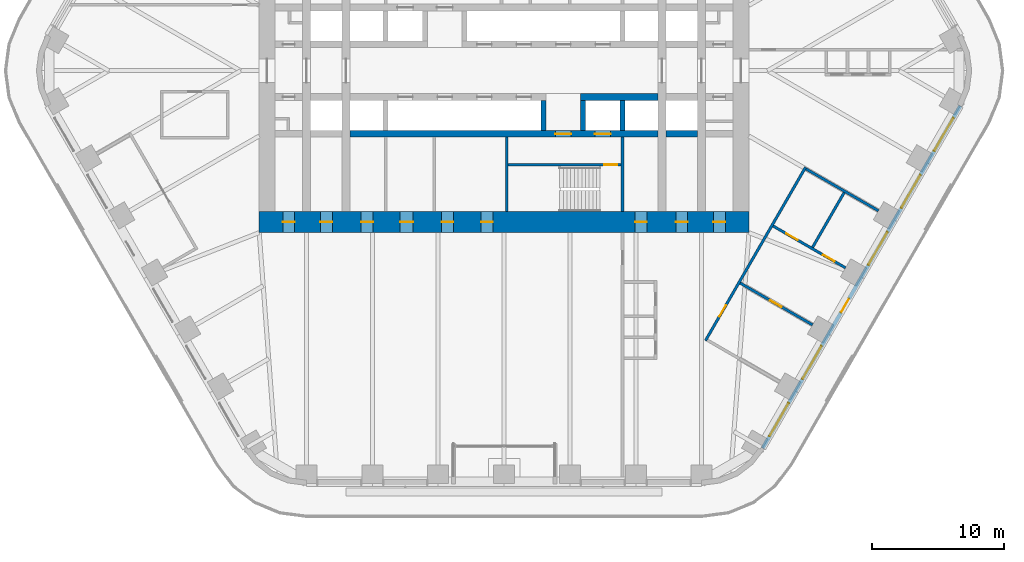
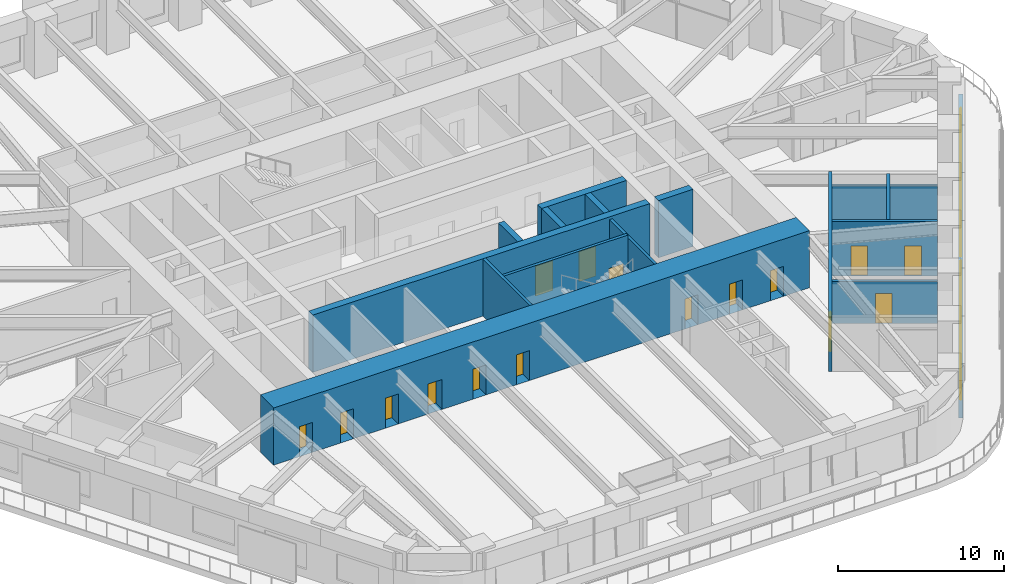
# One storey, part 18 of 24: 17 doors, 16 walls, 5 windows, 22 openings.
"""IFC4 building model written with IfcOpenShell, lengths in metres."""

from ifc_helpers import new_model, si_unit, direction, frame, frame_2d, origin, place, context, subcontext, project, spatial, rectangle, extrude, material, layer, layer_set, type_object, element, fill, save


model = new_model("IFC4")

# Units and contexts
model_context = context("Model", 3, precision=1e-05, world=origin(), true_north=direction((0.0, 1.0)))
body_context = subcontext(model_context, "Body", "Model", "MODEL_VIEW")
ifc_project = project(units=[si_unit("LENGTHUNIT", "METRE"), si_unit("AREAUNIT", "SQUARE_METRE"), si_unit("VOLUMEUNIT", "CUBIC_METRE"), si_unit("PLANEANGLEUNIT", "RADIAN"), si_unit("MASSUNIT", "GRAM", prefix="KILO")], contexts=[model_context])

# Site, building, storey
site_placement = place(None, origin())
site = spatial("IfcSite", under=ifc_project, at=site_placement, CompositionType="ELEMENT")
building_placement = place(site_placement, origin())
building = spatial("IfcBuilding", under=site, at=building_placement, Name="Tarfa Lantern Tower", CompositionType="ELEMENT")
storey_placement = place(building_placement, frame((0.0, 0.0, 169.89990234375)))
storey = spatial("IfcBuildingStorey", under=building, at=storey_placement, Name="L38", CompositionType="ELEMENT", Elevation=169.89990234375)

# Wall, openings, door, windows
ifc_material_1 = material(Name="Limestone cladding on blockwork", Category="masonry")
ifc_layer_1 = layer(ifc_material_1, 0.300048828125)
ifc_layer_set_1 = layer_set([ifc_layer_1], Name="EW1 STONE-CLAD WALL 300")
wall_type_1 = type_object("IfcWallType", Name="EW1 STONE-CLAD WALL 300", PredefinedType="SOLIDWALL", material=ifc_layer_set_1)
wall_1_placement = place(storey_placement, frame((19.644287109375, -28.675048828125, 0.0), z_axis=(0.0, 0.0, 1.0), x_axis=(0.500003084452, 0.866023622968, 0.0)))
wall_1 = element("IfcWall", 1, at=wall_1_placement, inside=storey, type_object=wall_type_1, Name="Stone wall SE", PredefinedType="SOLIDWALL", context=body_context, shape_type="SweptSolid", body=[
    extrude(rectangle(XDim=30.022216796875, YDim=0.300048828125, at=frame_2d((15.01123046875, 0.0))), origin(), (0.0, 0.0, 1.0), 2.75),
])
opening_1_placement = place(wall_1_placement, frame((1.0517578125, 0.0, 0.60009765625)))
opening_1 = element("IfcOpeningElement", 2, at=opening_1_placement, cuts=wall_1, Name="Opening W9", PredefinedType="OPENING", context=body_context, shape_type="SweptSolid", body=[
    extrude(rectangle(XDim=2.89990234375, YDim=1.89990234375, at=frame_2d((1.449951171875, 0.949951171875))), frame((0.0, 0.159912109375, 0.0), z_axis=(0.0, -1.0, 0.0), x_axis=(1.0, 0.0, 0.0)), (0.0, 0.0, 1.0), 0.320068359375),
])
opening_2_placement = place(wall_1_placement, frame((6.0556640625, 0.0, 0.60009765625)))
opening_2 = element("IfcOpeningElement", 3, at=opening_2_placement, cuts=wall_1, Name="Opening W9", PredefinedType="OPENING", context=body_context, shape_type="SweptSolid", body=[
    extrude(rectangle(XDim=2.89990234375, YDim=1.89990234375, at=frame_2d((1.449951171875, 0.949951171875))), frame((0.0, 0.159912109375, 0.0), z_axis=(0.0, -1.0, 0.0), x_axis=(1.0, 0.0, 0.0)), (0.0, 0.0, 1.0), 0.320068359375),
])
opening_3_placement = place(wall_1_placement, frame((11.9091796875, 0.0, 0.0)))
opening_3 = element("IfcOpeningElement", 4, at=opening_3_placement, cuts=wall_1, Name="Opening D51", PredefinedType="OPENING", context=body_context, shape_type="SweptSolid", body=[
    extrude(rectangle(XDim=1.199951171875, YDim=2.39990234375, at=frame_2d((0.60009765625, 1.199951171875))), frame((0.0, 0.159912109375, 0.0), z_axis=(0.0, -1.0, 0.0), x_axis=(1.0, 0.0, 0.0)), (0.0, 0.0, 1.0), 0.320068359375),
])
opening_4_placement = place(wall_1_placement, frame((16.06298828125, 0.0, 0.60009765625)))
opening_4 = element("IfcOpeningElement", 5, at=opening_4_placement, cuts=wall_1, Name="Opening W9", PredefinedType="OPENING", context=body_context, shape_type="SweptSolid", body=[
    extrude(rectangle(XDim=2.89990234375, YDim=1.89990234375, at=frame_2d((1.449951171875, 0.949951171875))), frame((0.0, 0.159912109375, 0.0), z_axis=(0.0, -1.0, 0.0), x_axis=(1.0, 0.0, 0.0)), (0.0, 0.0, 1.0), 0.320068359375),
])
opening_5_placement = place(wall_1_placement, frame((21.066650390625, 0.0, 0.60009765625)))
opening_5 = element("IfcOpeningElement", 6, at=opening_5_placement, cuts=wall_1, Name="Opening W9", PredefinedType="OPENING", context=body_context, shape_type="SweptSolid", body=[
    extrude(rectangle(XDim=2.89990234375, YDim=1.89990234375, at=frame_2d((1.449951171875, 0.949951171875))), frame((0.0, 0.159912109375, 0.0), z_axis=(0.0, -1.0, 0.0), x_axis=(1.0, 0.0, 0.0)), (0.0, 0.0, 1.0), 0.320068359375),
])
opening_6_placement = place(wall_1_placement, frame((26.0703125, 0.0, 0.60009765625)))
opening_6 = element("IfcOpeningElement", 7, at=opening_6_placement, cuts=wall_1, Name="Opening W9", PredefinedType="OPENING", context=body_context, shape_type="SweptSolid", body=[
    extrude(rectangle(XDim=2.89990234375, YDim=1.89990234375, at=frame_2d((1.449951171875, 0.949951171875))), frame((0.0, 0.159912109375, 0.0), z_axis=(0.0, -1.0, 0.0), x_axis=(1.0, 0.0, 0.0)), (0.0, 0.0, 1.0), 0.320068359375),
])
ifc_material_2 = material(Name="Aluminium framed glazed door", Category="aluminium")
door_type_1 = type_object("IfcDoorType", Name="BE3 BALCONY DOOR 1200x2400", OperationType="SINGLE_SWING_RIGHT", PredefinedType="DOOR", material=ifc_material_2)
door_1_placement = place(opening_3_placement, origin())
door_1 = element("IfcDoor", 8, at=door_1_placement, inside=storey, type_object=door_type_1, Name="Balcony door SE", OperationType="SINGLE_SWING_RIGHT", OverallHeight=2.39990234375, OverallWidth=1.199951171875, PredefinedType="DOOR", context=body_context, shape_type="SweptSolid", body=[
    extrude(rectangle(XDim=1.199951171875, YDim=2.39990234375, at=frame_2d((0.60009765625, 1.199951171875))), frame((0.0, 0.02490234375, 0.0), z_axis=(0.0, -1.0, 0.0), x_axis=(1.0, 0.0, 0.0)), (0.0, 0.0, 1.0), 0.050048828125),
])
fill(opening_3, door_1)
ifc_material_3 = material(Name="Aluminium frame, double glazed", Category="aluminium")
window_type = type_object("IfcWindowType", Name="W9 FULL-HEIGHT GLAZING 2900x1900", PartitioningType="SINGLE_PANEL", PredefinedType="WINDOW", material=ifc_material_3)
window_1_placement = place(opening_1_placement, origin())
window_1 = element("IfcWindow", 9, at=window_1_placement, inside=storey, type_object=window_type, Name="Window SE 1", OverallHeight=1.89990234375, OverallWidth=2.89990234375, PartitioningType="SINGLE_PANEL", PredefinedType="WINDOW", context=body_context, shape_type="SweptSolid", body=[
    extrude(rectangle(XDim=2.89990234375, YDim=1.89990234375, at=frame_2d((1.449951171875, 0.949951171875))), frame((0.0, 0.030029296875, 0.0), z_axis=(0.0, -1.0, 0.0), x_axis=(1.0, 0.0, 0.0)), (0.0, 0.0, 1.0), 0.06005859375),
])
fill(opening_1, window_1)
window_2_placement = place(opening_2_placement, origin())
window_2 = element("IfcWindow", 10, at=window_2_placement, inside=storey, type_object=window_type, Name="Window SE 2", OverallHeight=1.89990234375, OverallWidth=2.89990234375, PartitioningType="SINGLE_PANEL", PredefinedType="WINDOW", context=body_context, shape_type="SweptSolid", body=[
    extrude(rectangle(XDim=2.89990234375, YDim=1.89990234375, at=frame_2d((1.449951171875, 0.949951171875))), frame((0.0, 0.030029296875, 0.0), z_axis=(0.0, -1.0, 0.0), x_axis=(1.0, 0.0, 0.0)), (0.0, 0.0, 1.0), 0.06005859375),
])
fill(opening_2, window_2)
window_3_placement = place(opening_4_placement, origin())
window_3 = element("IfcWindow", 11, at=window_3_placement, inside=storey, type_object=window_type, Name="Window SE 4", OverallHeight=1.89990234375, OverallWidth=2.89990234375, PartitioningType="SINGLE_PANEL", PredefinedType="WINDOW", context=body_context, shape_type="SweptSolid", body=[
    extrude(rectangle(XDim=2.89990234375, YDim=1.89990234375, at=frame_2d((1.449951171875, 0.949951171875))), frame((0.0, 0.030029296875, 0.0), z_axis=(0.0, -1.0, 0.0), x_axis=(1.0, 0.0, 0.0)), (0.0, 0.0, 1.0), 0.06005859375),
])
fill(opening_4, window_3)
window_4_placement = place(opening_5_placement, origin())
window_4 = element("IfcWindow", 12, at=window_4_placement, inside=storey, type_object=window_type, Name="Window SE 5", OverallHeight=1.89990234375, OverallWidth=2.89990234375, PartitioningType="SINGLE_PANEL", PredefinedType="WINDOW", context=body_context, shape_type="SweptSolid", body=[
    extrude(rectangle(XDim=2.89990234375, YDim=1.89990234375, at=frame_2d((1.449951171875, 0.949951171875))), frame((0.0, 0.030029296875, 0.0), z_axis=(0.0, -1.0, 0.0), x_axis=(1.0, 0.0, 0.0)), (0.0, 0.0, 1.0), 0.06005859375),
])
fill(opening_5, window_4)
window_5_placement = place(opening_6_placement, origin())
window_5 = element("IfcWindow", 13, at=window_5_placement, inside=storey, type_object=window_type, Name="Window SE 6", OverallHeight=1.89990234375, OverallWidth=2.89990234375, PartitioningType="SINGLE_PANEL", PredefinedType="WINDOW", context=body_context, shape_type="SweptSolid", body=[
    extrude(rectangle(XDim=2.89990234375, YDim=1.89990234375, at=frame_2d((1.449951171875, 0.949951171875))), frame((0.0, 0.030029296875, 0.0), z_axis=(0.0, -1.0, 0.0), x_axis=(1.0, 0.0, 0.0)), (0.0, 0.0, 1.0), 0.06005859375),
])
fill(opening_6, window_5)

# Wall
ifc_material_4 = material(Name="Concrete blockwork", Category="masonry")
ifc_layer_2 = layer(ifc_material_4, 0.199951171875)
ifc_layer_set_2 = layer_set([ifc_layer_2], Name="IW1 BLOCKWORK PARTITION 200 EI 120")
wall_type_2 = type_object("IfcWallType", Name="IW1 BLOCKWORK PARTITION 200 EI 120", PredefinedType="PARTITIONING", material=ifc_layer_set_2)
wall_2_placement = place(storey_placement, frame((9.0, -5.050048828125, 0.0), z_axis=(0.0, 0.0, 1.0), x_axis=(0.0, -1.0, 0.0)))
element("IfcWall", 14, at=wall_2_placement, inside=storey, type_object=wall_type_2, Name="Core partition", PredefinedType="PARTITIONING", context=body_context, shape_type="SweptSolid", body=[
    extrude(rectangle(XDim=5.64990234375, YDim=0.199951171875, at=frame_2d((2.824951171875, 0.0))), origin(), (0.0, 0.0, 1.0), 4.0),
])

# Wall, opening, door
ifc_material_5 = material(Name="Gypsum board on steel studs", Category="steel")
ifc_layer_3 = layer(ifc_material_5, 0.2099609375)
ifc_layer_set_3 = layer_set([ifc_layer_3], Name="IW2 ACOUSTIC PARTITION 200")
wall_type_3 = type_object("IfcWallType", Name="IW2 ACOUSTIC PARTITION 200", PredefinedType="PARTITIONING", material=ifc_layer_set_3)
wall_3_placement = place(storey_placement, frame((15.2978515625, -20.503173828125, 0.0), z_axis=(0.0, 0.0, 1.0), x_axis=(0.500010972563, 0.86601906868, 0.0)))
wall_3 = element("IfcWall", 15, at=wall_3_placement, inside=storey, type_object=wall_type_3, Name="Partition", PredefinedType="PARTITIONING", context=body_context, shape_type="SweptSolid", body=[
    extrude(rectangle(XDim=15.211181640625, YDim=0.199951171875, at=frame_2d((7.60546875, 0.0))), origin(), (0.0, 0.0, 1.0), 4.0),
])
opening_7_placement = place(wall_3_placement, frame((2.101806640625, 0.0, 0.0)))
opening_7 = element("IfcOpeningElement", 16, at=opening_7_placement, cuts=wall_3, Name="Opening D33", PredefinedType="OPENING", context=body_context, shape_type="SweptSolid", body=[
    extrude(rectangle(XDim=1.0, YDim=2.199951171875, at=frame_2d((0.5, 1.10009765625))), frame((0.0, 0.10986328125, 0.0), z_axis=(0.0, -1.0, 0.0), x_axis=(1.0, 0.0, 0.0)), (0.0, 0.0, 1.0), 0.219970703125),
])
ifc_material_6 = material(Name="Timber door", Category="wood")
door_type_2 = type_object("IfcDoorType", Name="DR1 ROOM DOOR 1000x2200", OperationType="SINGLE_SWING_LEFT", PredefinedType="DOOR", material=ifc_material_6)
door_2_placement = place(opening_7_placement, frame((1.0, 0.0, 0.0), z_axis=(0.0, 0.0, 1.0), x_axis=(-1.0, 0.0, 0.0)))
door_2 = element("IfcDoor", 17, at=door_2_placement, inside=storey, type_object=door_type_2, Name="Audit reception door", OperationType="SINGLE_SWING_LEFT", OverallHeight=2.199951171875, OverallWidth=1.0, PredefinedType="DOOR", context=body_context, shape_type="SweptSolid", body=[
    extrude(rectangle(XDim=1.0, YDim=2.199951171875, at=frame_2d((0.5, 1.10009765625))), frame((0.0, 0.02490234375, 0.0), z_axis=(0.0, -1.0, 0.0), x_axis=(1.0, 0.0, 0.0)), (0.0, 0.0, 1.0), 0.050048828125),
])
fill(opening_7, door_2)

wall_4_placement = place(storey_placement, frame((17.936279296875, -16.13330078125, 0.0), z_axis=(0.0, 0.0, 1.0), x_axis=(0.866022320763, -0.500005339912, 0.0)))
wall_4 = element("IfcWall", 18, at=wall_4_placement, inside=storey, type_object=wall_type_3, Name="Partition", PredefinedType="PARTITIONING", context=body_context, shape_type="SweptSolid", body=[
    extrude(rectangle(XDim=6.35009765625, YDim=0.199951171875, at=frame_2d((3.175048828125, 0.0))), origin(), (0.0, 0.0, 1.0), 3.081787109375),
])
opening_8_placement = place(wall_4_placement, frame((2.625, 0.0, 0.0)))
opening_8 = element("IfcOpeningElement", 19, at=opening_8_placement, cuts=wall_4, Name="Opening D34", PredefinedType="OPENING", context=body_context, shape_type="SweptSolid", body=[
    extrude(rectangle(XDim=1.0, YDim=2.199951171875, at=frame_2d((0.5, 1.10009765625))), frame((0.0, 0.10986328125, 0.0), z_axis=(0.0, -1.0, 0.0), x_axis=(1.0, 0.0, 0.0)), (0.0, 0.0, 1.0), 0.219970703125),
])
door_3_placement = place(opening_8_placement, origin())
door_3 = element("IfcDoor", 20, at=door_3_placement, inside=storey, type_object=door_type_2, Name="Audit team room door", OperationType="SINGLE_SWING_RIGHT", OverallHeight=2.199951171875, OverallWidth=1.0, PredefinedType="DOOR", context=body_context, shape_type="SweptSolid", body=[
    extrude(rectangle(XDim=1.0, YDim=2.199951171875, at=frame_2d((0.5, 1.10009765625))), frame((0.0, 0.02490234375, 0.0), z_axis=(0.0, -1.0, 0.0), x_axis=(1.0, 0.0, 0.0)), (0.0, 0.0, 1.0), 0.050048828125),
])
fill(opening_8, door_3)

# Wall, openings, doors
wall_5_placement = place(storey_placement, frame((20.438232421875, -11.800048828125, 0.0), z_axis=(0.0, 0.0, 1.0), x_axis=(0.866022320763, -0.500005339912, 0.0)))
wall_5 = element("IfcWall", 21, at=wall_5_placement, inside=storey, type_object=wall_type_3, Name="Partition", PredefinedType="PARTITIONING", context=body_context, shape_type="SweptSolid", body=[
    extrude(rectangle(XDim=6.35009765625, YDim=0.199951171875, at=frame_2d((3.175048828125, 0.0))), origin(), (0.0, 0.0, 1.0), 4.0),
])
opening_9_placement = place(wall_5_placement, frame((1.14990234375, 0.0, 0.0)))
opening_9 = element("IfcOpeningElement", 22, at=opening_9_placement, cuts=wall_5, Name="Opening D35", PredefinedType="OPENING", context=body_context, shape_type="SweptSolid", body=[
    extrude(rectangle(XDim=1.0, YDim=2.199951171875, at=frame_2d((0.5, 1.10009765625))), frame((0.0, 0.10986328125, 0.0), z_axis=(0.0, -1.0, 0.0), x_axis=(1.0, 0.0, 0.0)), (0.0, 0.0, 1.0), 0.219970703125),
])
opening_10_placement = place(wall_5_placement, frame((4.375, 0.0, 0.0)))
opening_10 = element("IfcOpeningElement", 23, at=opening_10_placement, cuts=wall_5, Name="Opening D36", PredefinedType="OPENING", context=body_context, shape_type="SweptSolid", body=[
    extrude(rectangle(XDim=1.0, YDim=2.199951171875, at=frame_2d((0.5, 1.10009765625))), frame((0.0, 0.10986328125, 0.0), z_axis=(0.0, -1.0, 0.0), x_axis=(1.0, 0.0, 0.0)), (0.0, 0.0, 1.0), 0.219970703125),
])
door_4_placement = place(opening_9_placement, origin())
door_4 = element("IfcDoor", 24, at=door_4_placement, inside=storey, type_object=door_type_2, Name="Audit meeting room door", OperationType="SINGLE_SWING_RIGHT", OverallHeight=2.199951171875, OverallWidth=1.0, PredefinedType="DOOR", context=body_context, shape_type="SweptSolid", body=[
    extrude(rectangle(XDim=1.0, YDim=2.199951171875, at=frame_2d((0.5, 1.10009765625))), frame((0.0, 0.02490234375, 0.0), z_axis=(0.0, -1.0, 0.0), x_axis=(1.0, 0.0, 0.0)), (0.0, 0.0, 1.0), 0.050048828125),
])
fill(opening_9, door_4)
door_5_placement = place(opening_10_placement, origin())
door_5 = element("IfcDoor", 25, at=door_5_placement, inside=storey, type_object=door_type_2, Name="Audit office door", OperationType="SINGLE_SWING_RIGHT", OverallHeight=2.199951171875, OverallWidth=1.0, PredefinedType="DOOR", context=body_context, shape_type="SweptSolid", body=[
    extrude(rectangle(XDim=1.0, YDim=2.199951171875, at=frame_2d((0.5, 1.10009765625))), frame((0.0, 0.02490234375, 0.0), z_axis=(0.0, -1.0, 0.0), x_axis=(1.0, 0.0, 0.0)), (0.0, 0.0, 1.0), 0.050048828125),
])
fill(opening_10, door_5)

# Walls
wall_6_placement = place(storey_placement, frame((22.93994140625, -7.466552734375, 0.0), z_axis=(0.0, 0.0, 1.0), x_axis=(0.866022320763, -0.500005339912, 0.0)))
element("IfcWall", 26, at=wall_6_placement, inside=storey, type_object=wall_type_3, Name="Partition", PredefinedType="PARTITIONING", context=body_context, shape_type="SweptSolid", body=[
    extrude(rectangle(XDim=6.35009765625, YDim=0.199951171875, at=frame_2d((3.175048828125, 0.0))), origin(), (0.0, 0.0, 1.0), 3.081787109375),
])
wall_7_placement = place(storey_placement, frame((23.4326171875, -13.413330078125, 0.0), z_axis=(0.0, 0.0, 1.0), x_axis=(0.499998147991, 0.86602647304, 0.0)))
element("IfcWall", 27, at=wall_7_placement, inside=storey, type_object=wall_type_3, Name="Partition", PredefinedType="PARTITIONING", context=body_context, shape_type="SweptSolid", body=[
    extrude(rectangle(XDim=4.8037109375, YDim=0.199951171875, at=frame_2d((2.40185546875, 0.0))), origin(), (0.0, 0.0, 1.0), 4.0),
])
ifc_material_7 = material(Name="Concrete C80/95", Category="concrete")
ifc_layer_4 = layer(ifc_material_7, 0.199951171875)
ifc_layer_set_4 = layer_set([ifc_layer_4], Name="SW12 CORE WALL 200")
wall_type_4 = type_object("IfcWallType", Name="SW12 CORE WALL 200", PredefinedType="SHEAR", material=ifc_layer_set_4)
wall_8_placement = place(storey_placement, frame((0.199951171875, -5.050048828125, 0.0), z_axis=(0.0, 0.0, 1.0), x_axis=(0.0, -1.0, 0.0)))
element("IfcWall", 28, at=wall_8_placement, inside=storey, type_object=wall_type_4, Name="Core wall stair shaft S", PredefinedType="SHEAR", context=body_context, shape_type="SweptSolid", body=[
    extrude(rectangle(XDim=5.64990234375, YDim=0.199951171875, at=frame_2d((2.824951171875, 0.0))), origin(), (0.0, 0.0, 1.0), 4.2001953125),
])

# Wall, opening, door
wall_9_placement = place(storey_placement, frame((8.89990234375, -7.14990234375, 0.0), z_axis=(0.0, 0.0, 1.0), x_axis=(-1.0, 0.0, 0.0)))
wall_9 = element("IfcWall", 29, at=wall_9_placement, inside=storey, type_object=wall_type_4, Name="Core wall stair partition S", PredefinedType="SHEAR", context=body_context, shape_type="SweptSolid", body=[
    extrude(rectangle(XDim=8.599853515625, YDim=0.199951171875, at=frame_2d((4.2998046875, 0.0))), origin(), (0.0, 0.0, 1.0), 4.2001953125),
])
opening_11_placement = place(wall_9_placement, frame((0.300048828125, 0.0, 0.0)))
opening_11 = element("IfcOpeningElement", 30, at=opening_11_placement, cuts=wall_9, Name="Opening D28", PredefinedType="OPENING", context=body_context, shape_type="SweptSolid", body=[
    extrude(rectangle(XDim=1.0, YDim=2.199951171875, at=frame_2d((0.5, 1.10009765625))), frame((0.0, 0.10986328125, 0.0), z_axis=(0.0, -1.0, 0.0), x_axis=(1.0, 0.0, 0.0)), (0.0, 0.0, 1.0), 0.219970703125),
])
ifc_material_8 = material(Name="Steel fire door", Category="steel")
door_type_3 = type_object("IfcDoorType", Name="DF2 STAIR DOOR 1000x2200", OperationType="SINGLE_SWING_LEFT", PredefinedType="DOOR", material=ifc_material_8)
door_6_placement = place(opening_11_placement, origin())
door_6 = element("IfcDoor", 31, at=door_6_placement, inside=storey, type_object=door_type_3, Name="Stair door", OperationType="SINGLE_SWING_RIGHT", OverallHeight=2.199951171875, OverallWidth=1.0, PredefinedType="DOOR", context=body_context, shape_type="SweptSolid", body=[
    extrude(rectangle(XDim=1.0, YDim=2.199951171875, at=frame_2d((0.5, 1.10009765625))), frame((0.0, 0.02490234375, 0.0), z_axis=(0.0, -1.0, 0.0), x_axis=(1.0, 0.0, 0.0)), (0.0, 0.0, 1.0), 0.050048828125),
])
fill(opening_11, door_6)

# Walls
ifc_layer_5 = layer(ifc_material_7, 0.5)
ifc_layer_set_5 = layer_set([ifc_layer_5], Name="SW5 CORE WALL 500")
wall_type_5 = type_object("IfcWallType", Name="SW5 CORE WALL 500", PredefinedType="SHEAR", material=ifc_layer_set_5)
wall_10_placement = place(storey_placement, frame((11.699951171875, -2.0, 0.0), z_axis=(0.0, 0.0, 1.0), x_axis=(-1.0, 0.0, 0.0)))
element("IfcWall", 32, at=wall_10_placement, inside=storey, type_object=wall_type_5, Name="Core wall lobby west S", PredefinedType="SHEAR", context=body_context, shape_type="SweptSolid", body=[
    extrude(rectangle(XDim=5.89990234375, YDim=0.5, at=frame_2d((2.949951171875, 0.0))), origin(), (0.0, 0.0, 1.0), 4.2001953125),
])
wall_11_placement = place(storey_placement, frame((14.699951171875, -4.800048828125, 0.0), z_axis=(0.0, 0.0, 1.0), x_axis=(-1.0, 0.0, 0.0)))
element("IfcWall", 33, at=wall_11_placement, inside=storey, type_object=wall_type_5, Name="Core wall rear S", PredefinedType="SHEAR", context=body_context, shape_type="SweptSolid", body=[
    extrude(rectangle(XDim=2.39990234375, YDim=0.5, at=frame_2d((1.199951171875, 0.0))), origin(), (0.0, 0.0, 1.0), 4.2001953125),
])

# Wall, openings, doors
wall_12_placement = place(storey_placement, frame((11.699951171875, -4.800048828125, 0.0), z_axis=(0.0, 0.0, 1.0), x_axis=(-1.0, 0.0, 0.0)))
wall_12 = element("IfcWall", 34, at=wall_12_placement, inside=storey, type_object=wall_type_5, Name="Core wall rear S", PredefinedType="SHEAR", context=body_context, shape_type="SweptSolid", body=[
    extrude(rectangle(XDim=23.39990234375, YDim=0.5, at=frame_2d((11.699951171875, 0.0))), origin(), (0.0, 0.0, 1.0), 4.2001953125),
])
opening_12_placement = place(wall_12_placement, frame((6.60009765625, 0.0, 0.0)))
opening_12 = element("IfcOpeningElement", 35, at=opening_12_placement, cuts=wall_12, Name="Opening D14", PredefinedType="OPENING", context=body_context, shape_type="SweptSolid", body=[
    extrude(rectangle(XDim=1.199951171875, YDim=2.199951171875, at=frame_2d((0.60009765625, 1.10009765625))), frame((0.0, 0.260009765625, 0.0), z_axis=(0.0, -1.0, 0.0), x_axis=(1.0, 0.0, 0.0)), (0.0, 0.0, 1.0), 0.52001953125),
])
opening_13_placement = place(wall_12_placement, frame((3.60009765625, 0.0, 0.0)))
opening_13 = element("IfcOpeningElement", 36, at=opening_13_placement, cuts=wall_12, Name="Opening LD02", PredefinedType="OPENING", context=body_context, shape_type="SweptSolid", body=[
    extrude(rectangle(XDim=1.199951171875, YDim=2.199951171875, at=frame_2d((0.60009765625, 1.10009765625))), frame((0.0, 0.260009765625, 0.0), z_axis=(0.0, -1.0, 0.0), x_axis=(1.0, 0.0, 0.0)), (0.0, 0.0, 1.0), 0.52001953125),
])
door_type_4 = type_object("IfcDoorType", Name="DF1 FIREFIGHTING LOBBY DOOR 1200x2200", OperationType="SINGLE_SWING_LEFT", PredefinedType="DOOR", material=ifc_material_8)
door_7_placement = place(opening_12_placement, origin())
door_7 = element("IfcDoor", 37, at=door_7_placement, inside=storey, type_object=door_type_4, Name="Firefighting lobby door", OperationType="SINGLE_SWING_LEFT", OverallHeight=2.199951171875, OverallWidth=1.199951171875, PredefinedType="DOOR", context=body_context, shape_type="SweptSolid", body=[
    extrude(rectangle(XDim=1.199951171875, YDim=2.199951171875, at=frame_2d((0.60009765625, 1.10009765625))), frame((0.0, 0.02490234375, 0.0), z_axis=(0.0, -1.0, 0.0), x_axis=(1.0, 0.0, 0.0)), (0.0, 0.0, 1.0), 0.050048828125),
])
fill(opening_12, door_7)
ifc_material_9 = material(Name="Stainless steel lift door", Category="steel")
door_type_5 = type_object("IfcDoorType", Name="LD1 LIFT LANDING DOOR 1200x2200", OperationType="SLIDING_TO_LEFT", PredefinedType="DOOR", material=ifc_material_9)
door_8_placement = place(opening_13_placement, origin())
door_8 = element("IfcDoor", 38, at=door_8_placement, inside=storey, type_object=door_type_5, Name="Landing door FL2", OperationType="SLIDING_TO_LEFT", OverallHeight=2.199951171875, OverallWidth=1.199951171875, PredefinedType="DOOR", context=body_context, shape_type="SweptSolid", body=[
    extrude(rectangle(XDim=1.199951171875, YDim=2.199951171875, at=frame_2d((0.60009765625, 1.10009765625))), frame((0.0, 0.02490234375, 0.0), z_axis=(0.0, -1.0, 0.0), x_axis=(1.0, 0.0, 0.0)), (0.0, 0.0, 1.0), 0.050048828125),
])
fill(opening_13, door_8)

# Walls
ifc_layer_6 = layer(ifc_material_7, 0.39990234375)
ifc_layer_set_6 = layer_set([ifc_layer_6], Name="SW6 CORE WALL 400")
wall_type_6 = type_object("IfcWallType", Name="SW6 CORE WALL 400", PredefinedType="SHEAR", material=ifc_layer_set_6)
for number, where, z_axis, x_axis, name in (
    (39, (9.0, -2.25, 0.0), (0.0, 0.0, 1.0), (0.0, -1.0, 0.0), "Core wall divider S"),
    (40, (6.0, -2.25, 0.0), (0.0, 0.0, 1.0), (0.0, -1.0, 0.0), "Core wall divider S"),
    (41, (3.0, -2.25, 0.0), (0.0, 0.0, 1.0), (0.0, -1.0, 0.0), "Core wall divider S"),
):
    element("IfcWall", number, at=place(storey_placement, frame(where, z_axis=z_axis, x_axis=x_axis)), inside=storey, type_object=wall_type_6, Name=name, PredefinedType="SHEAR", context=body_context, shape_type="SweptSolid", body=[
        extrude(rectangle(XDim=2.300048828125, YDim=0.39990234375, at=frame_2d((1.14990234375, 0.0))), origin(), (0.0, 0.0, 1.0), 4.2001953125),
    ])

# Wall, openings, doors
ifc_layer_7 = layer(ifc_material_7, 1.60009765625)
ifc_layer_set_7 = layer_set([ifc_layer_7], Name="SW7 CORE WALL 1600")
wall_type_7 = type_object("IfcWallType", Name="SW7 CORE WALL 1600", PredefinedType="SHEAR", material=ifc_layer_set_7)
wall_13_placement = place(storey_placement, frame((18.60009765625, -11.5, 0.0), z_axis=(0.0, 0.0, 1.0), x_axis=(-1.0, 0.0, 0.0)))
wall_13 = element("IfcWall", 42, at=wall_13_placement, inside=storey, type_object=wall_type_7, Name="Core wall S", PredefinedType="SHEAR", context=body_context, shape_type="SweptSolid", body=[
    extrude(rectangle(XDim=37.2001953125, YDim=1.60009765625, at=frame_2d((18.60009765625, 0.0))), origin(), (0.0, 0.0, 1.0), 4.2001953125),
])
opening_14_placement = place(wall_13_placement, frame((19.449951171875, 0.0, 0.0)))
opening_14 = element("IfcOpeningElement", 43, at=opening_14_placement, cuts=wall_13, Name="Opening D22", PredefinedType="OPENING", context=body_context, shape_type="SweptSolid", body=[
    extrude(rectangle(XDim=0.89990234375, YDim=2.199951171875, at=frame_2d((0.449951171875, 1.10009765625))), frame((0.0, 0.81005859375, 0.0), z_axis=(0.0, -1.0, 0.0), x_axis=(1.0, 0.0, 0.0)), (0.0, 0.0, 1.0), 1.6201171875),
])
opening_15_placement = place(wall_13_placement, frame((22.449951171875, 0.0, 0.0)))
opening_15 = element("IfcOpeningElement", 44, at=opening_15_placement, cuts=wall_13, Name="Opening D24", PredefinedType="OPENING", context=body_context, shape_type="SweptSolid", body=[
    extrude(rectangle(XDim=0.89990234375, YDim=2.199951171875, at=frame_2d((0.449951171875, 1.10009765625))), frame((0.0, 0.81005859375, 0.0), z_axis=(0.0, -1.0, 0.0), x_axis=(1.0, 0.0, 0.0)), (0.0, 0.0, 1.0), 1.6201171875),
])
opening_16_placement = place(wall_13_placement, frame((25.5, 0.0, 0.0)))
opening_16 = element("IfcOpeningElement", 45, at=opening_16_placement, cuts=wall_13, Name="Opening D26", PredefinedType="OPENING", context=body_context, shape_type="SweptSolid", body=[
    extrude(rectangle(XDim=1.0, YDim=2.199951171875, at=frame_2d((0.5, 1.10009765625))), frame((0.0, 0.81005859375, 0.0), z_axis=(0.0, -1.0, 0.0), x_axis=(1.0, 0.0, 0.0)), (0.0, 0.0, 1.0), 1.6201171875),
])
opening_17_placement = place(wall_13_placement, frame((1.800048828125, 0.0, 0.0)))
opening_17 = element("IfcOpeningElement", 46, at=opening_17_placement, cuts=wall_13, Name="Opening D12", PredefinedType="OPENING", context=body_context, shape_type="SweptSolid", body=[
    extrude(rectangle(XDim=0.89990234375, YDim=2.199951171875, at=frame_2d((0.449951171875, 1.10009765625))), frame((0.0, 0.81005859375, 0.0), z_axis=(0.0, -1.0, 0.0), x_axis=(1.0, 0.0, 0.0)), (0.0, 0.0, 1.0), 1.6201171875),
])
opening_18_placement = place(wall_13_placement, frame((4.64990234375, 0.0, 0.0)))
opening_18 = element("IfcOpeningElement", 47, at=opening_18_placement, cuts=wall_13, Name="Opening D08", PredefinedType="OPENING", context=body_context, shape_type="SweptSolid", body=[
    extrude(rectangle(XDim=0.89990234375, YDim=2.199951171875, at=frame_2d((0.449951171875, 1.10009765625))), frame((0.0, 0.81005859375, 0.0), z_axis=(0.0, -1.0, 0.0), x_axis=(1.0, 0.0, 0.0)), (0.0, 0.0, 1.0), 1.6201171875),
])
opening_19_placement = place(wall_13_placement, frame((7.75, 0.0, 0.0)))
opening_19 = element("IfcOpeningElement", 48, at=opening_19_placement, cuts=wall_13, Name="Opening D10", PredefinedType="OPENING", context=body_context, shape_type="SweptSolid", body=[
    extrude(rectangle(XDim=0.89990234375, YDim=2.199951171875, at=frame_2d((0.449951171875, 1.10009765625))), frame((0.0, 0.81005859375, 0.0), z_axis=(0.0, -1.0, 0.0), x_axis=(1.0, 0.0, 0.0)), (0.0, 0.0, 1.0), 1.6201171875),
])
opening_20_placement = place(wall_13_placement, frame((28.550048828125, 0.0, 0.0)))
opening_20 = element("IfcOpeningElement", 49, at=opening_20_placement, cuts=wall_13, Name="Opening D06", PredefinedType="OPENING", context=body_context, shape_type="SweptSolid", body=[
    extrude(rectangle(XDim=0.89990234375, YDim=2.199951171875, at=frame_2d((0.449951171875, 1.10009765625))), frame((0.0, 0.81005859375, 0.0), z_axis=(0.0, -1.0, 0.0), x_axis=(1.0, 0.0, 0.0)), (0.0, 0.0, 1.0), 1.6201171875),
])
opening_21_placement = place(wall_13_placement, frame((31.64990234375, 0.0, 0.0)))
opening_21 = element("IfcOpeningElement", 50, at=opening_21_placement, cuts=wall_13, Name="Opening D02", PredefinedType="OPENING", context=body_context, shape_type="SweptSolid", body=[
    extrude(rectangle(XDim=0.89990234375, YDim=2.199951171875, at=frame_2d((0.449951171875, 1.10009765625))), frame((0.0, 0.81005859375, 0.0), z_axis=(0.0, -1.0, 0.0), x_axis=(1.0, 0.0, 0.0)), (0.0, 0.0, 1.0), 1.6201171875),
])
opening_22_placement = place(wall_13_placement, frame((34.5, 0.0, 0.0)))
opening_22 = element("IfcOpeningElement", 51, at=opening_22_placement, cuts=wall_13, Name="Opening D04", PredefinedType="OPENING", context=body_context, shape_type="SweptSolid", body=[
    extrude(rectangle(XDim=0.89990234375, YDim=2.199951171875, at=frame_2d((0.449951171875, 1.10009765625))), frame((0.0, 0.81005859375, 0.0), z_axis=(0.0, -1.0, 0.0), x_axis=(1.0, 0.0, 0.0)), (0.0, 0.0, 1.0), 1.6201171875),
])
door_type_6 = type_object("IfcDoorType", Name="DF3 CORE ROOM DOOR 900x2200", OperationType="SINGLE_SWING_LEFT", PredefinedType="DOOR", material=ifc_material_8)
door_9_placement = place(opening_14_placement, frame((0.89990234375, 0.0, 0.0), z_axis=(0.0, 0.0, 1.0), x_axis=(-1.0, 0.0, 0.0)))
door_9 = element("IfcDoor", 52, at=door_9_placement, inside=storey, type_object=door_type_6, Name="Core door", OperationType="SINGLE_SWING_LEFT", OverallHeight=2.199951171875, OverallWidth=0.89990234375, PredefinedType="DOOR", context=body_context, shape_type="SweptSolid", body=[
    extrude(rectangle(XDim=0.89990234375, YDim=2.199951171875, at=frame_2d((0.449951171875, 1.10009765625))), frame((0.0, 0.02490234375, 0.0), z_axis=(0.0, -1.0, 0.0), x_axis=(1.0, 0.0, 0.0)), (0.0, 0.0, 1.0), 0.050048828125),
])
fill(opening_14, door_9)
door_10_placement = place(opening_15_placement, frame((0.89990234375, 0.0, 0.0), z_axis=(0.0, 0.0, 1.0), x_axis=(-1.0, 0.0, 0.0)))
door_10 = element("IfcDoor", 53, at=door_10_placement, inside=storey, type_object=door_type_6, Name="Core door", OperationType="SINGLE_SWING_RIGHT", OverallHeight=2.199951171875, OverallWidth=0.89990234375, PredefinedType="DOOR", context=body_context, shape_type="SweptSolid", body=[
    extrude(rectangle(XDim=0.89990234375, YDim=2.199951171875, at=frame_2d((0.449951171875, 1.10009765625))), frame((0.0, 0.02490234375, 0.0), z_axis=(0.0, -1.0, 0.0), x_axis=(1.0, 0.0, 0.0)), (0.0, 0.0, 1.0), 0.050048828125),
])
fill(opening_15, door_10)
door_type_7 = type_object("IfcDoorType", Name="DF4 CORE ROOM DOOR 1000x2200", OperationType="SINGLE_SWING_LEFT", PredefinedType="DOOR", material=ifc_material_8)
door_11_placement = place(opening_16_placement, frame((1.0, 0.0, 0.0), z_axis=(0.0, 0.0, 1.0), x_axis=(-1.0, 0.0, 0.0)))
door_11 = element("IfcDoor", 54, at=door_11_placement, inside=storey, type_object=door_type_7, Name="Core door", OperationType="SINGLE_SWING_RIGHT", OverallHeight=2.199951171875, OverallWidth=1.0, PredefinedType="DOOR", context=body_context, shape_type="SweptSolid", body=[
    extrude(rectangle(XDim=1.0, YDim=2.199951171875, at=frame_2d((0.5, 1.10009765625))), frame((0.0, 0.02490234375, 0.0), z_axis=(0.0, -1.0, 0.0), x_axis=(1.0, 0.0, 0.0)), (0.0, 0.0, 1.0), 0.050048828125),
])
fill(opening_16, door_11)
door_type_8 = type_object("IfcDoorType", Name="DF5 RISER DOOR 900x2200", OperationType="SINGLE_SWING_LEFT", PredefinedType="DOOR", material=ifc_material_8)
door_12_placement = place(opening_17_placement, frame((0.89990234375, 0.0, 0.0), z_axis=(0.0, 0.0, 1.0), x_axis=(-1.0, 0.0, 0.0)))
door_12 = element("IfcDoor", 55, at=door_12_placement, inside=storey, type_object=door_type_8, Name="Riser door", OperationType="SINGLE_SWING_LEFT", OverallHeight=2.199951171875, OverallWidth=0.89990234375, PredefinedType="DOOR", context=body_context, shape_type="SweptSolid", body=[
    extrude(rectangle(XDim=0.89990234375, YDim=2.199951171875, at=frame_2d((0.449951171875, 1.10009765625))), frame((0.0, 0.02490234375, 0.0), z_axis=(0.0, -1.0, 0.0), x_axis=(1.0, 0.0, 0.0)), (0.0, 0.0, 1.0), 0.050048828125),
])
fill(opening_17, door_12)
door_13_placement = place(opening_18_placement, frame((0.89990234375, 0.0, 0.0), z_axis=(0.0, 0.0, 1.0), x_axis=(-1.0, 0.0, 0.0)))
door_13 = element("IfcDoor", 56, at=door_13_placement, inside=storey, type_object=door_type_8, Name="Riser door", OperationType="SINGLE_SWING_LEFT", OverallHeight=2.199951171875, OverallWidth=0.89990234375, PredefinedType="DOOR", context=body_context, shape_type="SweptSolid", body=[
    extrude(rectangle(XDim=0.89990234375, YDim=2.199951171875, at=frame_2d((0.449951171875, 1.10009765625))), frame((0.0, 0.02490234375, 0.0), z_axis=(0.0, -1.0, 0.0), x_axis=(1.0, 0.0, 0.0)), (0.0, 0.0, 1.0), 0.050048828125),
])
fill(opening_18, door_13)
door_14_placement = place(opening_19_placement, frame((0.89990234375, 0.0, 0.0), z_axis=(0.0, 0.0, 1.0), x_axis=(-1.0, 0.0, 0.0)))
door_14 = element("IfcDoor", 57, at=door_14_placement, inside=storey, type_object=door_type_8, Name="Riser door", OperationType="SINGLE_SWING_LEFT", OverallHeight=2.199951171875, OverallWidth=0.89990234375, PredefinedType="DOOR", context=body_context, shape_type="SweptSolid", body=[
    extrude(rectangle(XDim=0.89990234375, YDim=2.199951171875, at=frame_2d((0.449951171875, 1.10009765625))), frame((0.0, 0.02490234375, 0.0), z_axis=(0.0, -1.0, 0.0), x_axis=(1.0, 0.0, 0.0)), (0.0, 0.0, 1.0), 0.050048828125),
])
fill(opening_19, door_14)
door_15_placement = place(opening_20_placement, frame((0.89990234375, 0.0, 0.0), z_axis=(0.0, 0.0, 1.0), x_axis=(-1.0, 0.0, 0.0)))
door_15 = element("IfcDoor", 58, at=door_15_placement, inside=storey, type_object=door_type_8, Name="Riser door", OperationType="SINGLE_SWING_RIGHT", OverallHeight=2.199951171875, OverallWidth=0.89990234375, PredefinedType="DOOR", context=body_context, shape_type="SweptSolid", body=[
    extrude(rectangle(XDim=0.89990234375, YDim=2.199951171875, at=frame_2d((0.449951171875, 1.10009765625))), frame((0.0, 0.02490234375, 0.0), z_axis=(0.0, -1.0, 0.0), x_axis=(1.0, 0.0, 0.0)), (0.0, 0.0, 1.0), 0.050048828125),
])
fill(opening_20, door_15)
door_16_placement = place(opening_21_placement, frame((0.89990234375, 0.0, 0.0), z_axis=(0.0, 0.0, 1.0), x_axis=(-1.0, 0.0, 0.0)))
door_16 = element("IfcDoor", 59, at=door_16_placement, inside=storey, type_object=door_type_8, Name="Riser door", OperationType="SINGLE_SWING_RIGHT", OverallHeight=2.199951171875, OverallWidth=0.89990234375, PredefinedType="DOOR", context=body_context, shape_type="SweptSolid", body=[
    extrude(rectangle(XDim=0.89990234375, YDim=2.199951171875, at=frame_2d((0.449951171875, 1.10009765625))), frame((0.0, 0.02490234375, 0.0), z_axis=(0.0, -1.0, 0.0), x_axis=(1.0, 0.0, 0.0)), (0.0, 0.0, 1.0), 0.050048828125),
])
fill(opening_21, door_16)
door_17_placement = place(opening_22_placement, frame((0.89990234375, 0.0, 0.0), z_axis=(0.0, 0.0, 1.0), x_axis=(-1.0, 0.0, 0.0)))
door_17 = element("IfcDoor", 60, at=door_17_placement, inside=storey, type_object=door_type_8, Name="Riser door", OperationType="SINGLE_SWING_RIGHT", OverallHeight=2.199951171875, OverallWidth=0.89990234375, PredefinedType="DOOR", context=body_context, shape_type="SweptSolid", body=[
    extrude(rectangle(XDim=0.89990234375, YDim=2.199951171875, at=frame_2d((0.449951171875, 1.10009765625))), frame((0.0, 0.02490234375, 0.0), z_axis=(0.0, -1.0, 0.0), x_axis=(1.0, 0.0, 0.0)), (0.0, 0.0, 1.0), 0.050048828125),
])
fill(opening_22, door_17)

save(model, "model.ifc")
